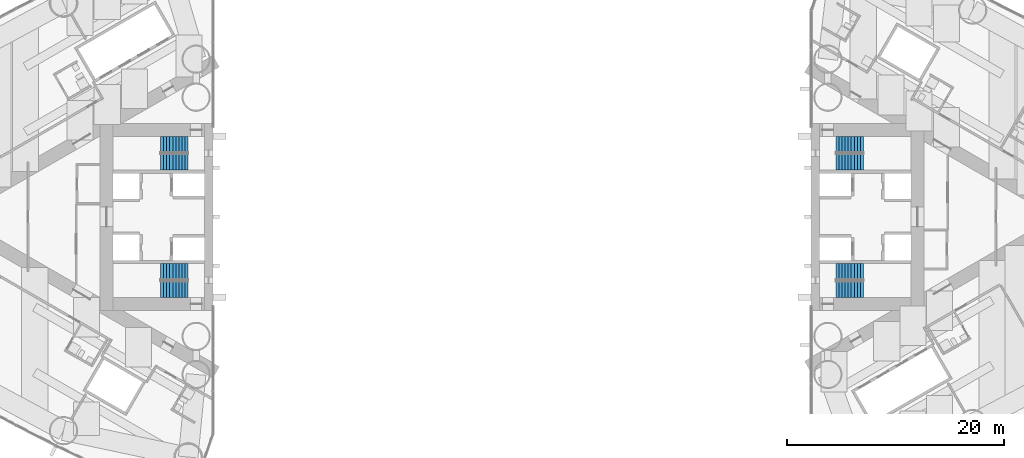
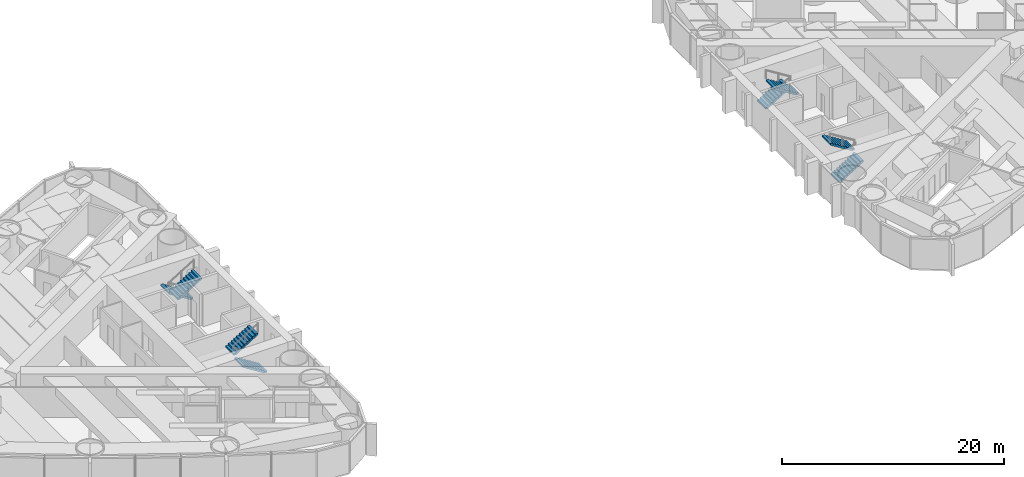
# One storey, part 16 of 18: 8 stair flights, 4 elements without a shape of their own.
"""IFC4 building model written with IfcOpenShell, lengths in metres."""

import ifcopenshell
import ifcopenshell.guid

model = None  # the IFC model being written
_history = None  # IfcOwnerHistory: only IFC2X3 demands one
_inside = {}  # id of a spatial element -> (the spatial element, [elements in it])
_under = {}  # id of a project, library or spatial element -> (it, [spatial elements below it])
_declared = {}  # id of a project -> (the project, [libraries it declares])
_typed = {}  # id of a type object -> (the type object, [elements of that type])
_made_of = {}  # id of a material, layer set ... -> (it, [elements and type objects made of it])


def new_model(schema):
    """Start an empty IFC model of exactly this schema.

    Asked for "IFC4X3", IfcOpenShell would pick the latest addendum, in which some entities
    have other attributes; the version numbers below select the first issue.
    IFC2X3 requires an IfcOwnerHistory on every rooted entity: one is made here for all.
    """
    global model, _history
    if schema == "IFC4X3":
        model = ifcopenshell.file(schema_version=(4, 3, 0, 0))
    else:
        model = ifcopenshell.file(schema=schema)
    _inside.clear()
    _under.clear()
    _declared.clear()
    _typed.clear()
    _made_of.clear()
    _history = None
    if model.schema == "IFC2X3":
        org = make("IfcOrganization", Name="unknown")
        user = make(
            "IfcPersonAndOrganization",
            ThePerson=make("IfcPerson", FamilyName="unknown"),
            TheOrganization=org,
        )
        app = make(
            "IfcApplication",
            ApplicationDeveloper=org,
            Version="unknown",
            ApplicationFullName="unknown",
            ApplicationIdentifier="unknown",
        )
        _history = make(
            "IfcOwnerHistory",
            OwningUser=user,
            OwningApplication=app,
            ChangeAction="ADDED",
            CreationDate=0,
        )
    return model


def make(cls, **values):
    """One entity of the class cls with the attributes given. An attribute that is None is left unset."""
    return model.create_entity(
        cls, **{name: value for name, value in values.items() if value is not None}
    )


def rooted(cls, **values):
    """An entity with a GlobalId (a new one), such as an element, a storey or a relation."""
    return make(cls, GlobalId=ifcopenshell.guid.new(), OwnerHistory=_history, **values)


def si_unit(unit_type, name, prefix=None):
    """IfcSIUnit, for example si_unit("LENGTHUNIT", "METRE", prefix="MILLI")."""
    return make("IfcSIUnit", UnitType=unit_type, Prefix=prefix, Name=name)


def assignment(units):
    """IfcUnitAssignment: the units of a project."""
    return None if units is None else make("IfcUnitAssignment", Units=units)


def point(xyz):
    """IfcCartesianPoint."""
    return None if xyz is None else make("IfcCartesianPoint", Coordinates=xyz)


def direction(xyz):
    """IfcDirection."""
    return None if xyz is None else make("IfcDirection", DirectionRatios=xyz)


def frame(location, z_axis=None, x_axis=None):
    """IfcAxis2Placement3D, a coordinate frame: its origin and axes. An axis left out is left unset."""
    return make(
        "IfcAxis2Placement3D",
        Location=point(location),
        Axis=direction(z_axis),
        RefDirection=direction(x_axis),
    )


def origin():
    """The frame at (0, 0, 0) with its axes left unset."""
    return frame((0.0, 0.0, 0.0))


def place(relative_to, where):
    """IfcLocalPlacement: puts the frame where relative to a parent placement (None: the world)."""
    return make(
        "IfcLocalPlacement", PlacementRelTo=relative_to, RelativePlacement=where
    )


def context(
    kind, dimensions, precision=None, world=None, true_north=None, identifier=None
):
    """IfcGeometricRepresentationContext, for example the 3D "Model" context."""
    return make(
        "IfcGeometricRepresentationContext",
        ContextIdentifier=identifier,
        ContextType=kind,
        CoordinateSpaceDimension=dimensions,
        Precision=precision,
        WorldCoordinateSystem=world,
        TrueNorth=true_north,
    )


def subcontext(parent, identifier, kind, view, scale=None):
    """IfcGeometricRepresentationSubContext, for example "Body" below "Model"."""
    return make(
        "IfcGeometricRepresentationSubContext",
        ContextIdentifier=identifier,
        ContextType=kind,
        ParentContext=parent,
        TargetScale=scale,
        TargetView=view,
    )


def project(units=None, contexts=None):
    """IfcProject with its units and contexts."""
    return rooted(
        "IfcProject",
        Name="project",
        RepresentationContexts=contexts,
        UnitsInContext=assignment(units),
    )


def spatial(cls, under=None, at=None, **own):
    """A site, building, storey or space (cls), placed at a placement, below another one or the project."""
    s = rooted(cls, ObjectPlacement=at, **own)
    if under is not None:
        _under.setdefault(under.id(), (under, []))[1].append(s)
    return s


def polyline(points):
    """IfcPolyline through the points."""
    return make("IfcPolyline", Points=[point(p) for p in points])


def outline(outer, holes=None, kind="AREA"):
    """IfcArbitraryClosedProfileDef: a profile drawn as a closed curve; with holes, ...WithVoids."""
    if holes is None:
        return make("IfcArbitraryClosedProfileDef", ProfileType=kind, OuterCurve=outer)
    return make(
        "IfcArbitraryProfileDefWithVoids",
        ProfileType=kind,
        OuterCurve=outer,
        InnerCurves=holes,
    )


def extrude(swept, where, along, depth):
    """IfcExtrudedAreaSolid: the profile swept, set in the frame where, extruded along a direction by depth."""
    return make(
        "IfcExtrudedAreaSolid",
        SweptArea=swept,
        Position=where,
        ExtrudedDirection=direction(along),
        Depth=depth,
    )


def shape(context_of_items, identifier, shape_type, items):
    """IfcShapeRepresentation: the items that make up one representation, for example the "Body"."""
    return make(
        "IfcShapeRepresentation",
        ContextOfItems=context_of_items,
        RepresentationIdentifier=identifier,
        RepresentationType=shape_type,
        Items=items,
    )


def material(Name=None, Category=None):
    """IfcMaterial."""
    return make("IfcMaterial", Name=Name, Category=Category)


def made_of(thing, what):
    """Note that an element or type object is made of a material, layer set ...; save() writes the relation."""
    if what is not None:
        _made_of.setdefault(what.id(), (what, []))[1].append(thing)
    return thing


def type_object(cls, material=None, **own):
    """A type object (cls), such as IfcWallType, which elements share."""
    return made_of(rooted(cls, **own), material)


def element(
    cls,
    number,
    at=None,
    inside=None,
    cuts=None,
    type_object=None,
    material=None,
    context=None,
    identifier="Body",
    shape_type=None,
    held_by="IfcProductDefinitionShape",
    body=None,
    shapes=None,
    **own,
):
    """One element of the class cls, such as IfcWall. Its Tag is "e" and its number.

    at: its placement. inside: the storey or other place that contains it. cuts: it is an
    opening in that element (IfcRelVoidsElement). A single representation is given by context,
    identifier, shape_type and body (its items); several are given by shapes. held_by: the class
    of the entity that holds the representations. save() writes the other relations.
    """
    e = rooted(cls, Tag="e%d" % number, ObjectPlacement=at, **own)
    if body is not None:
        shapes = [shape(context, identifier, shape_type, body)]
    if shapes is not None:
        e.Representation = make(held_by, Representations=shapes)
    if inside is not None:
        _inside.setdefault(inside.id(), (inside, []))[1].append(e)
    if cuts is not None:
        rooted(
            "IfcRelVoidsElement", RelatingBuildingElement=cuts, RelatedOpeningElement=e
        )
    if type_object is not None:
        _typed.setdefault(type_object.id(), (type_object, []))[1].append(e)
    return made_of(e, material)


def aggregate(whole, parts):
    """IfcRelAggregates: a whole, such as a stair, and the parts it consists of."""
    return rooted("IfcRelAggregates", RelatingObject=whole, RelatedObjects=parts)


def save(model, path):
    """Write the relations noted so far, then the file.

    IfcRelAggregates (storeys below a building ...), IfcRelContainedInSpatialStructure (elements
    in a storey), IfcRelDefinesByType, IfcRelAssociatesMaterial and IfcRelDeclares: one each for
    every whole, place, type object, material and project.
    """
    for whole, parts in _under.values():
        aggregate(whole, parts)
    for where, things in _inside.values():
        rooted(
            "IfcRelContainedInSpatialStructure",
            RelatedElements=things,
            RelatingStructure=where,
        )
    for kind, things in _typed.values():
        rooted("IfcRelDefinesByType", RelatedObjects=things, RelatingType=kind)
    for what, things in _made_of.values():
        rooted("IfcRelAssociatesMaterial", RelatedObjects=things, RelatingMaterial=what)
    for by, libraries in _declared.values():
        rooted("IfcRelDeclares", RelatingContext=by, RelatedDefinitions=libraries)
    model.write(path)


model = new_model("IFC4")

# Units and contexts
model_context = context("Model", 3, precision=1e-05, world=origin(), true_north=direction((0.0, 1.0)))
body_context = subcontext(model_context, "Body", "Model", "MODEL_VIEW")
ifc_project = project(units=[si_unit("LENGTHUNIT", "METRE"), si_unit("AREAUNIT", "SQUARE_METRE"), si_unit("VOLUMEUNIT", "CUBIC_METRE"), si_unit("PLANEANGLEUNIT", "RADIAN"), si_unit("MASSUNIT", "GRAM", prefix="KILO")], contexts=[model_context])

# Site, building, storey
site_placement = place(None, origin())
site = spatial("IfcSite", under=ifc_project, at=site_placement, CompositionType="ELEMENT")
building_placement = place(site_placement, origin())
building = spatial("IfcBuilding", under=site, at=building_placement, Name="Lancet Gate Hotel", CompositionType="ELEMENT")
storey_placement = place(building_placement, frame((0.0, 0.0, 101.10009765625)))
storey = spatial("IfcBuildingStorey", under=building, at=storey_placement, Name="L26", CompositionType="ELEMENT", Elevation=101.10009765625)

# Stair, stair flights
ifc_material_1 = material(Name="Exit stair 20 risers 1500")
stair_type = type_object("IfcStairType", Name="Exit stair 20 risers 1500", PredefinedType="HALF_TURN_STAIR", material=ifc_material_1)
stair_1_placement = place(storey_placement, origin())
stair_1 = element("IfcStair", 1, at=stair_1_placement, inside=storey, type_object=stair_type, Name="T1 stair 1 L26", PredefinedType="HALF_TURN_STAIR")
ifc_material_2 = material(Name="Stair flight 10 risers 175 rise 1500")
stair_flight_type = type_object("IfcStairFlightType", Name="Stair flight 10 risers 175 rise 1500", PredefinedType="STRAIGHT", material=ifc_material_2)
stair_flight_1_placement = place(storey_placement, frame((-29.800048828125, 6.64990234375, 0.0), z_axis=(0.0, 0.0, 1.0), x_axis=(-1.0, 0.0, 0.0)))
stair_flight_1 = element("IfcStairFlight", 2, at=stair_flight_1_placement, type_object=stair_flight_type, Name="ST1 flight 1", NumberOfRisers=10, NumberOfTreads=9, PredefinedType="STRAIGHT", RiserHeight=0.175, TreadLength=0.28, context=body_context, shape_type="SweptSolid", body=[
    extrude(outline(polyline([(0.0, 0.0), (0.0, 0.175048828125), (0.280029296875, 0.175048828125), (0.280029296875, 0.35009765625), (0.56005859375, 0.35009765625), (0.56005859375, 0.52490234375), (0.840087890625, 0.52490234375), (0.840087890625, 0.699951171875), (1.1201171875, 0.699951171875), (1.1201171875, 0.875), (1.39990234375, 0.875), (1.39990234375, 1.050048828125), (1.679931640625, 1.050048828125), (1.679931640625, 1.22509765625), (1.9599609375, 1.22509765625), (1.9599609375, 1.39990234375), (2.239990234375, 1.39990234375), (2.239990234375, 1.574951171875), (2.52001953125, 1.574951171875), (2.52001953125, 1.75), (2.52001953125, 1.398193359375), (0.28271484375, 0.0), (0.0, 0.0)])), frame((0.0, 0.75, 0.0), z_axis=(0.0, -1.0, 0.0), x_axis=(1.0, 0.0, 0.0)), (0.0, 0.0, 1.0), 1.5),
])
stair_flight_2_placement = place(storey_placement, frame((-32.320068359375, 5.050048828125, 1.75), z_axis=(0.0, 0.0, 1.0), x_axis=(1.0, 0.0, 0.0)))
stair_flight_2 = element("IfcStairFlight", 3, at=stair_flight_2_placement, type_object=stair_flight_type, Name="ST1 flight 2", NumberOfRisers=10, NumberOfTreads=9, PredefinedType="STRAIGHT", RiserHeight=0.175, TreadLength=0.28, context=body_context, shape_type="SweptSolid", body=[
    extrude(outline(polyline([(0.0, 0.0), (0.0, 0.175048828125), (0.280029296875, 0.175048828125), (0.280029296875, 0.35009765625), (0.56005859375, 0.35009765625), (0.56005859375, 0.52490234375), (0.840087890625, 0.52490234375), (0.840087890625, 0.699951171875), (1.1201171875, 0.699951171875), (1.1201171875, 0.875), (1.39990234375, 0.875), (1.39990234375, 1.050048828125), (1.679931640625, 1.050048828125), (1.679931640625, 1.22509765625), (1.9599609375, 1.22509765625), (1.9599609375, 1.39990234375), (2.239990234375, 1.39990234375), (2.239990234375, 1.574951171875), (2.52001953125, 1.574951171875), (2.52001953125, 1.75), (2.52001953125, 1.398193359375), (0.28271484375, 0.0), (0.0, 0.0)])), frame((0.0, 0.75, 0.0), z_axis=(0.0, -1.0, 0.0), x_axis=(1.0, 0.0, 0.0)), (0.0, 0.0, 1.0), 1.5),
])
aggregate(stair_1, [stair_flight_1, stair_flight_2])

stair_2_placement = place(storey_placement, origin())
stair_2 = element("IfcStair", 4, at=stair_2_placement, inside=storey, type_object=stair_type, Name="T1 stair 2 L26", PredefinedType="HALF_TURN_STAIR")
stair_flight_3_placement = place(storey_placement, frame((-29.800048828125, -6.64990234375, 0.0), z_axis=(0.0, 0.0, 1.0), x_axis=(-1.0, 0.0, 0.0)))
stair_flight_3 = element("IfcStairFlight", 5, at=stair_flight_3_placement, type_object=stair_flight_type, Name="ST2 flight 1", NumberOfRisers=10, NumberOfTreads=9, PredefinedType="STRAIGHT", RiserHeight=0.175, TreadLength=0.28, context=body_context, shape_type="SweptSolid", body=[
    extrude(outline(polyline([(0.0, 0.0), (0.0, 0.175048828125), (0.280029296875, 0.175048828125), (0.280029296875, 0.35009765625), (0.56005859375, 0.35009765625), (0.56005859375, 0.52490234375), (0.840087890625, 0.52490234375), (0.840087890625, 0.699951171875), (1.1201171875, 0.699951171875), (1.1201171875, 0.875), (1.39990234375, 0.875), (1.39990234375, 1.050048828125), (1.679931640625, 1.050048828125), (1.679931640625, 1.22509765625), (1.9599609375, 1.22509765625), (1.9599609375, 1.39990234375), (2.239990234375, 1.39990234375), (2.239990234375, 1.574951171875), (2.52001953125, 1.574951171875), (2.52001953125, 1.75), (2.52001953125, 1.398193359375), (0.28271484375, 0.0), (0.0, 0.0)])), frame((0.0, 0.75, 0.0), z_axis=(0.0, -1.0, 0.0), x_axis=(1.0, 0.0, 0.0)), (0.0, 0.0, 1.0), 1.5),
])
stair_flight_4_placement = place(storey_placement, frame((-32.320068359375, -5.050048828125, 1.75), z_axis=(0.0, 0.0, 1.0), x_axis=(1.0, 0.0, 0.0)))
stair_flight_4 = element("IfcStairFlight", 6, at=stair_flight_4_placement, type_object=stair_flight_type, Name="ST2 flight 2", NumberOfRisers=10, NumberOfTreads=9, PredefinedType="STRAIGHT", RiserHeight=0.175, TreadLength=0.28, context=body_context, shape_type="SweptSolid", body=[
    extrude(outline(polyline([(0.0, 0.0), (0.0, 0.175048828125), (0.280029296875, 0.175048828125), (0.280029296875, 0.35009765625), (0.56005859375, 0.35009765625), (0.56005859375, 0.52490234375), (0.840087890625, 0.52490234375), (0.840087890625, 0.699951171875), (1.1201171875, 0.699951171875), (1.1201171875, 0.875), (1.39990234375, 0.875), (1.39990234375, 1.050048828125), (1.679931640625, 1.050048828125), (1.679931640625, 1.22509765625), (1.9599609375, 1.22509765625), (1.9599609375, 1.39990234375), (2.239990234375, 1.39990234375), (2.239990234375, 1.574951171875), (2.52001953125, 1.574951171875), (2.52001953125, 1.75), (2.52001953125, 1.398193359375), (0.28271484375, 0.0), (0.0, 0.0)])), frame((0.0, 0.75, 0.0), z_axis=(0.0, -1.0, 0.0), x_axis=(1.0, 0.0, 0.0)), (0.0, 0.0, 1.0), 1.5),
])
aggregate(stair_2, [stair_flight_3, stair_flight_4])

stair_3_placement = place(storey_placement, origin())
stair_3 = element("IfcStair", 7, at=stair_3_placement, inside=storey, type_object=stair_type, Name="T2 stair 1 L26", PredefinedType="HALF_TURN_STAIR")
stair_flight_5_placement = place(storey_placement, frame((29.800048828125, -6.64990234375, 0.0), z_axis=(0.0, 0.0, 1.0), x_axis=(1.0, 0.0, 0.0)))
stair_flight_5 = element("IfcStairFlight", 8, at=stair_flight_5_placement, type_object=stair_flight_type, Name="ST3 flight 1", NumberOfRisers=10, NumberOfTreads=9, PredefinedType="STRAIGHT", RiserHeight=0.175, TreadLength=0.28, context=body_context, shape_type="SweptSolid", body=[
    extrude(outline(polyline([(0.0, 0.0), (0.0, 0.175048828125), (0.280029296875, 0.175048828125), (0.280029296875, 0.35009765625), (0.56005859375, 0.35009765625), (0.56005859375, 0.52490234375), (0.840087890625, 0.52490234375), (0.840087890625, 0.699951171875), (1.1201171875, 0.699951171875), (1.1201171875, 0.875), (1.39990234375, 0.875), (1.39990234375, 1.050048828125), (1.679931640625, 1.050048828125), (1.679931640625, 1.22509765625), (1.9599609375, 1.22509765625), (1.9599609375, 1.39990234375), (2.239990234375, 1.39990234375), (2.239990234375, 1.574951171875), (2.52001953125, 1.574951171875), (2.52001953125, 1.75), (2.52001953125, 1.398193359375), (0.28271484375, 0.0), (0.0, 0.0)])), frame((0.0, 0.75, 0.0), z_axis=(0.0, -1.0, 0.0), x_axis=(1.0, 0.0, 0.0)), (0.0, 0.0, 1.0), 1.5),
])
stair_flight_6_placement = place(storey_placement, frame((32.320068359375, -5.050048828125, 1.75), z_axis=(0.0, 0.0, 1.0), x_axis=(-1.0, 0.0, 0.0)))
stair_flight_6 = element("IfcStairFlight", 9, at=stair_flight_6_placement, type_object=stair_flight_type, Name="ST3 flight 2", NumberOfRisers=10, NumberOfTreads=9, PredefinedType="STRAIGHT", RiserHeight=0.175, TreadLength=0.28, context=body_context, shape_type="SweptSolid", body=[
    extrude(outline(polyline([(0.0, 0.0), (0.0, 0.175048828125), (0.280029296875, 0.175048828125), (0.280029296875, 0.35009765625), (0.56005859375, 0.35009765625), (0.56005859375, 0.52490234375), (0.840087890625, 0.52490234375), (0.840087890625, 0.699951171875), (1.1201171875, 0.699951171875), (1.1201171875, 0.875), (1.39990234375, 0.875), (1.39990234375, 1.050048828125), (1.679931640625, 1.050048828125), (1.679931640625, 1.22509765625), (1.9599609375, 1.22509765625), (1.9599609375, 1.39990234375), (2.239990234375, 1.39990234375), (2.239990234375, 1.574951171875), (2.52001953125, 1.574951171875), (2.52001953125, 1.75), (2.52001953125, 1.398193359375), (0.28271484375, 0.0), (0.0, 0.0)])), frame((0.0, 0.75, 0.0), z_axis=(0.0, -1.0, 0.0), x_axis=(1.0, 0.0, 0.0)), (0.0, 0.0, 1.0), 1.5),
])
aggregate(stair_3, [stair_flight_5, stair_flight_6])

stair_4_placement = place(storey_placement, origin())
stair_4 = element("IfcStair", 10, at=stair_4_placement, inside=storey, type_object=stair_type, Name="T2 stair 2 L26", PredefinedType="HALF_TURN_STAIR")
stair_flight_7_placement = place(storey_placement, frame((29.800048828125, 6.64990234375, 0.0), z_axis=(0.0, 0.0, 1.0), x_axis=(1.0, 0.0, 0.0)))
stair_flight_7 = element("IfcStairFlight", 11, at=stair_flight_7_placement, type_object=stair_flight_type, Name="ST4 flight 1", NumberOfRisers=10, NumberOfTreads=9, PredefinedType="STRAIGHT", RiserHeight=0.175, TreadLength=0.28, context=body_context, shape_type="SweptSolid", body=[
    extrude(outline(polyline([(0.0, 0.0), (0.0, 0.175048828125), (0.280029296875, 0.175048828125), (0.280029296875, 0.35009765625), (0.56005859375, 0.35009765625), (0.56005859375, 0.52490234375), (0.840087890625, 0.52490234375), (0.840087890625, 0.699951171875), (1.1201171875, 0.699951171875), (1.1201171875, 0.875), (1.39990234375, 0.875), (1.39990234375, 1.050048828125), (1.679931640625, 1.050048828125), (1.679931640625, 1.22509765625), (1.9599609375, 1.22509765625), (1.9599609375, 1.39990234375), (2.239990234375, 1.39990234375), (2.239990234375, 1.574951171875), (2.52001953125, 1.574951171875), (2.52001953125, 1.75), (2.52001953125, 1.398193359375), (0.28271484375, 0.0), (0.0, 0.0)])), frame((0.0, 0.75, 0.0), z_axis=(0.0, -1.0, 0.0), x_axis=(1.0, 0.0, 0.0)), (0.0, 0.0, 1.0), 1.5),
])
stair_flight_8_placement = place(storey_placement, frame((32.320068359375, 5.050048828125, 1.75), z_axis=(0.0, 0.0, 1.0), x_axis=(-1.0, 0.0, 0.0)))
stair_flight_8 = element("IfcStairFlight", 12, at=stair_flight_8_placement, type_object=stair_flight_type, Name="ST4 flight 2", NumberOfRisers=10, NumberOfTreads=9, PredefinedType="STRAIGHT", RiserHeight=0.175, TreadLength=0.28, context=body_context, shape_type="SweptSolid", body=[
    extrude(outline(polyline([(0.0, 0.0), (0.0, 0.175048828125), (0.280029296875, 0.175048828125), (0.280029296875, 0.35009765625), (0.56005859375, 0.35009765625), (0.56005859375, 0.52490234375), (0.840087890625, 0.52490234375), (0.840087890625, 0.699951171875), (1.1201171875, 0.699951171875), (1.1201171875, 0.875), (1.39990234375, 0.875), (1.39990234375, 1.050048828125), (1.679931640625, 1.050048828125), (1.679931640625, 1.22509765625), (1.9599609375, 1.22509765625), (1.9599609375, 1.39990234375), (2.239990234375, 1.39990234375), (2.239990234375, 1.574951171875), (2.52001953125, 1.574951171875), (2.52001953125, 1.75), (2.52001953125, 1.398193359375), (0.28271484375, 0.0), (0.0, 0.0)])), frame((0.0, 0.75, 0.0), z_axis=(0.0, -1.0, 0.0), x_axis=(1.0, 0.0, 0.0)), (0.0, 0.0, 1.0), 1.5),
])
aggregate(stair_4, [stair_flight_7, stair_flight_8])

save(model, "model.ifc")
